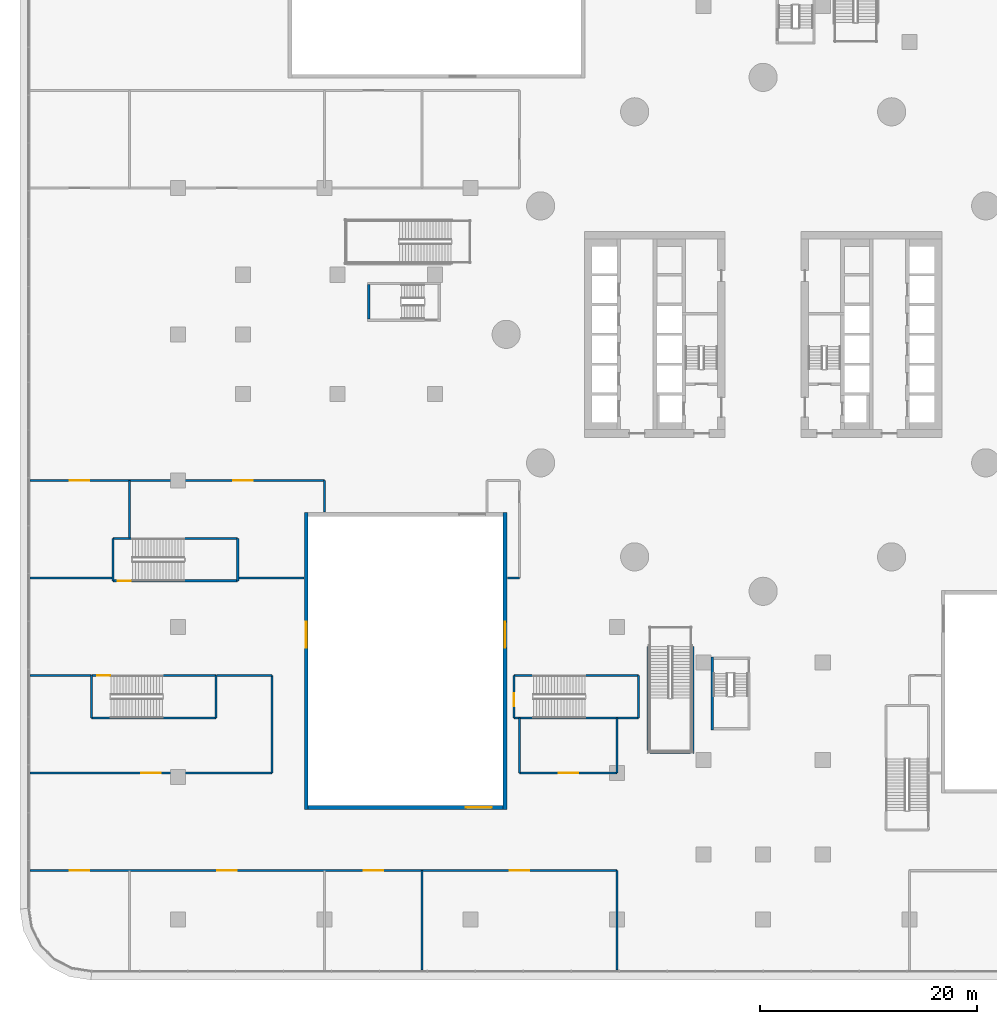
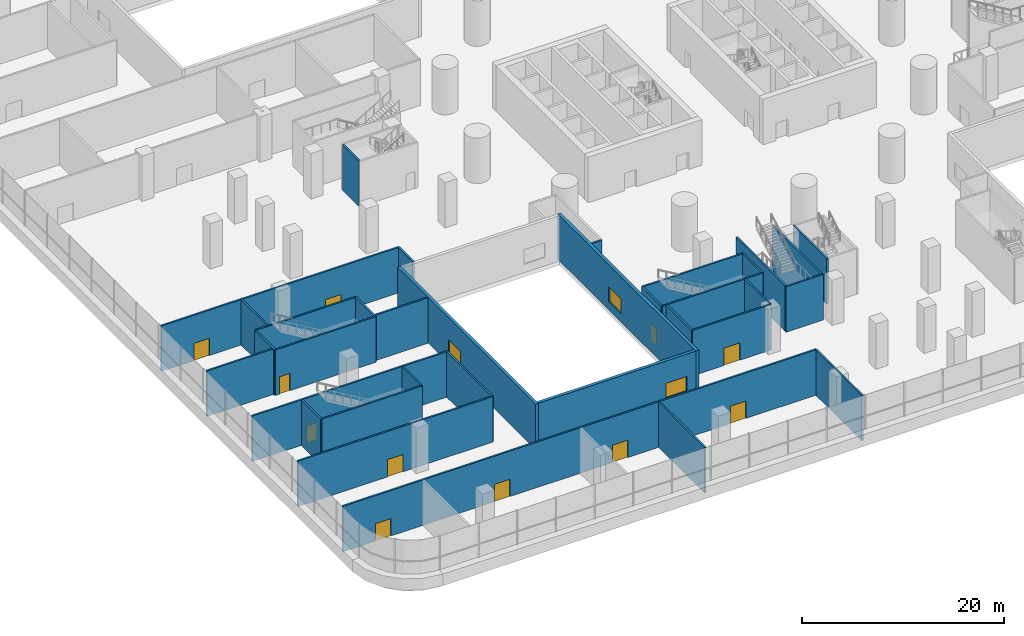
# One storey, part 28 of 52: 36 walls, 11 doors, 3 windows, 14 openings.
"""IFC4 building model written with IfcOpenShell, lengths in metres."""

from ifc_helpers import new_model, si_unit, direction, frame, frame_2d, origin, place, context, subcontext, project, spatial, polyline, rectangle, outline, extrude, material, layer, layer_set, type_object, element, fill, save


model = new_model("IFC4")

# Units and contexts
model_context = context("Model", 3, precision=1e-05, world=origin(), true_north=direction((0.0, 1.0)))
body_context = subcontext(model_context, "Body", "Model", "MODEL_VIEW")
ifc_project = project(units=[si_unit("LENGTHUNIT", "METRE"), si_unit("AREAUNIT", "SQUARE_METRE"), si_unit("VOLUMEUNIT", "CUBIC_METRE"), si_unit("PLANEANGLEUNIT", "RADIAN"), si_unit("MASSUNIT", "GRAM", prefix="KILO")], contexts=[model_context])

# Site, building, storey
site_placement = place(None, origin())
site = spatial("IfcSite", under=ifc_project, at=site_placement, CompositionType="ELEMENT")
building_placement = place(site_placement, origin())
building = spatial("IfcBuilding", under=site, at=building_placement, Name="Tamarind Cross Interchange Tower", CompositionType="ELEMENT")
storey_placement = place(building_placement, frame((0.0, 0.0, 9.0)))
storey = spatial("IfcBuildingStorey", under=building, at=storey_placement, Name="L01", CompositionType="ELEMENT", Elevation=9.0)

# Wall, openings, doors
ifc_material_1 = material(Name="Masonry partition, fire-rated", Category="masonry")
ifc_layer_1 = layer(ifc_material_1, 0.199951171875)
ifc_layer_set_1 = layer_set([ifc_layer_1], Name="Masonry partition, fire-rated")
wall_type_1 = type_object("IfcWallType", Name="Fire partition 200 EI 120", PredefinedType="PARTITIONING", material=ifc_layer_set_1)
wall_1_placement = place(storey_placement, frame((-67.698974609375, -49.5, 0.0), z_axis=(0.0, 0.0, 1.0), x_axis=(1.0, 0.0, 0.0)))
wall_1 = element("IfcWall", 1, at=wall_1_placement, inside=storey, type_object=wall_type_1, Name="L01 partition 49", PredefinedType="PARTITIONING", context=body_context, shape_type="SweptSolid", body=[
    extrude(rectangle(XDim=54.198974609375, YDim=0.199951171875, at=frame_2d((27.099609375, 0.0))), origin(), (0.0, 0.0, 1.0), 5.5),
])
opening_1_placement = place(wall_1_placement, frame((44.30908203125, 0.0, 0.0)))
opening_1 = element("IfcOpeningElement", 2, at=opening_1_placement, cuts=wall_1, Name="Opening DL01-38", PredefinedType="OPENING", context=body_context, shape_type="SweptSolid", body=[
    extrude(rectangle(XDim=1.800048828125, YDim=2.10009765625, at=frame_2d((0.89990234375, 1.050048828125))), frame((0.0, 0.10986328125, 0.0), z_axis=(0.0, -1.0, 0.0), x_axis=(1.0, 0.0, 0.0)), (0.0, 0.0, 1.0), 0.219970703125),
])
opening_2_placement = place(wall_1_placement, frame((30.80908203125, 0.0, 0.0)))
opening_2 = element("IfcOpeningElement", 3, at=opening_2_placement, cuts=wall_1, Name="Opening DL01-39", PredefinedType="OPENING", context=body_context, shape_type="SweptSolid", body=[
    extrude(rectangle(XDim=1.800048828125, YDim=2.10009765625, at=frame_2d((0.89990234375, 1.050048828125))), frame((0.0, 0.10986328125, 0.0), z_axis=(0.0, -1.0, 0.0), x_axis=(1.0, 0.0, 0.0)), (0.0, 0.0, 1.0), 0.219970703125),
])
opening_3_placement = place(wall_1_placement, frame((17.30908203125, 0.0, 0.0)))
opening_3 = element("IfcOpeningElement", 4, at=opening_3_placement, cuts=wall_1, Name="Opening DL01-40", PredefinedType="OPENING", context=body_context, shape_type="SweptSolid", body=[
    extrude(rectangle(XDim=1.800048828125, YDim=2.10009765625, at=frame_2d((0.89990234375, 1.050048828125))), frame((0.0, 0.10986328125, 0.0), z_axis=(0.0, -1.0, 0.0), x_axis=(1.0, 0.0, 0.0)), (0.0, 0.0, 1.0), 0.219970703125),
])
opening_4_placement = place(wall_1_placement, frame((3.68896484375, 0.0, 0.0)))
opening_4 = element("IfcOpeningElement", 5, at=opening_4_placement, cuts=wall_1, Name="Opening DL01-41", PredefinedType="OPENING", context=body_context, shape_type="SweptSolid", body=[
    extrude(rectangle(XDim=1.800048828125, YDim=2.10009765625, at=frame_2d((0.89990234375, 1.050048828125))), frame((0.0, 0.10986328125, 0.0), z_axis=(0.0, -1.0, 0.0), x_axis=(1.0, 0.0, 0.0)), (0.0, 0.0, 1.0), 0.219970703125),
])
ifc_material_2 = material(Name="Steel, fire-resisting", Category="steel")
door_type_1 = type_object("IfcDoorType", Name="Podium door 1800 x 2100 FD60", OperationType="SINGLE_SWING_LEFT", PredefinedType="DOOR", material=ifc_material_2)
door_1_placement = place(opening_1_placement, origin())
door_1 = element("IfcDoor", 6, at=door_1_placement, inside=storey, type_object=door_type_1, Name="L01 door Optician 0123", OperationType="SINGLE_SWING_RIGHT", OverallHeight=2.10009765625, OverallWidth=1.800048828125, PredefinedType="DOOR", context=body_context, shape_type="SweptSolid", body=[
    extrude(rectangle(XDim=1.800048828125, YDim=2.10009765625, at=frame_2d((0.89990234375, 1.050048828125))), frame((0.0, 0.02490234375, 0.0), z_axis=(0.0, -1.0, 0.0), x_axis=(1.0, 0.0, 0.0)), (0.0, 0.0, 1.0), 0.050048828125),
])
fill(opening_1, door_1)
door_2_placement = place(opening_2_placement, origin())
door_2 = element("IfcDoor", 7, at=door_2_placement, inside=storey, type_object=door_type_1, Name="L01 door Sports Shop 0124", OperationType="SINGLE_SWING_LEFT", OverallHeight=2.10009765625, OverallWidth=1.800048828125, PredefinedType="DOOR", context=body_context, shape_type="SweptSolid", body=[
    extrude(rectangle(XDim=1.800048828125, YDim=2.10009765625, at=frame_2d((0.89990234375, 1.050048828125))), frame((0.0, 0.02490234375, 0.0), z_axis=(0.0, -1.0, 0.0), x_axis=(1.0, 0.0, 0.0)), (0.0, 0.0, 1.0), 0.050048828125),
])
fill(opening_2, door_2)
door_3_placement = place(opening_3_placement, origin())
door_3 = element("IfcDoor", 8, at=door_3_placement, inside=storey, type_object=door_type_1, Name="L01 door Gift Shop 0125", OperationType="SINGLE_SWING_RIGHT", OverallHeight=2.10009765625, OverallWidth=1.800048828125, PredefinedType="DOOR", context=body_context, shape_type="SweptSolid", body=[
    extrude(rectangle(XDim=1.800048828125, YDim=2.10009765625, at=frame_2d((0.89990234375, 1.050048828125))), frame((0.0, 0.02490234375, 0.0), z_axis=(0.0, -1.0, 0.0), x_axis=(1.0, 0.0, 0.0)), (0.0, 0.0, 1.0), 0.050048828125),
])
fill(opening_3, door_3)
door_4_placement = place(opening_4_placement, origin())
door_4 = element("IfcDoor", 9, at=door_4_placement, inside=storey, type_object=door_type_1, Name="L01 door Bookshop 0126", OperationType="SINGLE_SWING_LEFT", OverallHeight=2.10009765625, OverallWidth=1.800048828125, PredefinedType="DOOR", context=body_context, shape_type="SweptSolid", body=[
    extrude(rectangle(XDim=1.800048828125, YDim=2.10009765625, at=frame_2d((0.89990234375, 1.050048828125))), frame((0.0, 0.02490234375, 0.0), z_axis=(0.0, -1.0, 0.0), x_axis=(1.0, 0.0, 0.0)), (0.0, 0.0, 1.0), 0.050048828125),
])
fill(opening_4, door_4)

# Walls
wall_2_placement = place(storey_placement, frame((-50.469970703125, -31.5, 0.0), z_axis=(0.0, 0.0, 1.0), x_axis=(1.0, 0.0, 0.0)))
element("IfcWall", 10, at=wall_2_placement, inside=storey, type_object=wall_type_1, Name="L01 partition 50", PredefinedType="PARTITIONING", context=body_context, shape_type="SweptSolid", body=[
    extrude(rectangle(XDim=5.119873046875, YDim=0.199951171875, at=frame_2d((2.56005859375, 0.0))), origin(), (0.0, 0.0, 1.0), 5.5),
])
wall_3_placement = place(storey_placement, frame((-45.35009765625, -40.5, 0.0), z_axis=(0.0, 0.0, 1.0), x_axis=(0.0, 1.0, 0.0)))
element("IfcWall", 11, at=wall_3_placement, inside=storey, type_object=wall_type_1, Name="L01 partition 51", PredefinedType="PARTITIONING", context=body_context, shape_type="SweptSolid", body=[
    extrude(rectangle(XDim=9.0, YDim=0.199951171875, at=frame_2d((4.5, 0.0))), origin(), (0.0, 0.0, 1.0), 5.5),
])

# Wall, opening, door
wall_4_placement = place(storey_placement, frame((-67.698974609375, -40.5, 0.0), z_axis=(0.0, 0.0, 1.0), x_axis=(1.0, 0.0, 0.0)))
wall_4 = element("IfcWall", 12, at=wall_4_placement, inside=storey, type_object=wall_type_1, Name="L01 partition 52", PredefinedType="PARTITIONING", context=body_context, shape_type="SweptSolid", body=[
    extrude(rectangle(XDim=22.348876953125, YDim=0.199951171875, at=frame_2d((11.17431640625, 0.0))), origin(), (0.0, 0.0, 1.0), 5.5),
])
opening_5_placement = place(wall_4_placement, frame((10.27392578125, 0.0, 0.0)))
opening_5 = element("IfcOpeningElement", 13, at=opening_5_placement, cuts=wall_4, Name="Opening DL01-42", PredefinedType="OPENING", context=body_context, shape_type="SweptSolid", body=[
    extrude(rectangle(XDim=1.800048828125, YDim=2.10009765625, at=frame_2d((0.89990234375, 1.050048828125))), frame((0.0, 0.10986328125, 0.0), z_axis=(0.0, -1.0, 0.0), x_axis=(1.0, 0.0, 0.0)), (0.0, 0.0, 1.0), 0.219970703125),
])
door_5_placement = place(opening_5_placement, origin())
door_5 = element("IfcDoor", 14, at=door_5_placement, inside=storey, type_object=door_type_1, Name="L01 door Optician 0122", OperationType="SINGLE_SWING_RIGHT", OverallHeight=2.10009765625, OverallWidth=1.800048828125, PredefinedType="DOOR", context=body_context, shape_type="SweptSolid", body=[
    extrude(rectangle(XDim=1.800048828125, YDim=2.10009765625, at=frame_2d((0.89990234375, 1.050048828125))), frame((0.0, 0.02490234375, 0.0), z_axis=(0.0, -1.0, 0.0), x_axis=(1.0, 0.0, 0.0)), (0.0, 0.0, 1.0), 0.050048828125),
])
fill(opening_5, door_5)

# Walls
wall_5_placement = place(storey_placement, frame((-67.698974609375, -31.5, 0.0), z_axis=(0.0, 0.0, 1.0), x_axis=(1.0, 0.0, 0.0)))
element("IfcWall", 15, at=wall_5_placement, inside=storey, type_object=wall_type_1, Name="L01 partition 53", PredefinedType="PARTITIONING", context=body_context, shape_type="SweptSolid", body=[
    extrude(rectangle(XDim=5.6689453125, YDim=0.199951171875, at=frame_2d((2.83447265625, 0.0))), origin(), (0.0, 0.0, 1.0), 5.5),
])
wall_6_placement = place(storey_placement, frame((-67.698974609375, -22.5, 0.0), z_axis=(0.0, 0.0, 1.0), x_axis=(1.0, 0.0, 0.0)))
element("IfcWall", 16, at=wall_6_placement, inside=storey, type_object=wall_type_1, Name="L01 partition 54", PredefinedType="PARTITIONING", context=body_context, shape_type="SweptSolid", body=[
    extrude(rectangle(XDim=7.6689453125, YDim=0.199951171875, at=frame_2d((3.83447265625, 0.0))), origin(), (0.0, 0.0, 1.0), 5.5),
])

# Wall, openings, doors
wall_7_placement = place(storey_placement, frame((-67.698974609375, -13.5, 0.0), z_axis=(0.0, 0.0, 1.0), x_axis=(1.0, 0.0, 0.0)))
wall_7 = element("IfcWall", 17, at=wall_7_placement, inside=storey, type_object=wall_type_1, Name="L01 partition 55", PredefinedType="PARTITIONING", context=body_context, shape_type="SweptSolid", body=[
    extrude(rectangle(XDim=27.198974609375, YDim=0.199951171875, at=frame_2d((13.599609375, 0.0))), origin(), (0.0, 0.0, 1.0), 5.5),
])
opening_6_placement = place(wall_7_placement, frame((18.763916015625, 0.0, 0.0)))
opening_6 = element("IfcOpeningElement", 18, at=opening_6_placement, cuts=wall_7, Name="Opening DL01-35", PredefinedType="OPENING", context=body_context, shape_type="SweptSolid", body=[
    extrude(rectangle(XDim=1.800048828125, YDim=2.10009765625, at=frame_2d((0.89990234375, 1.050048828125))), frame((0.0, 0.10986328125, 0.0), z_axis=(0.0, -1.0, 0.0), x_axis=(1.0, 0.0, 0.0)), (0.0, 0.0, 1.0), 0.219970703125),
])
opening_7_placement = place(wall_7_placement, frame((3.68896484375, 0.0, 0.0)))
opening_7 = element("IfcOpeningElement", 19, at=opening_7_placement, cuts=wall_7, Name="Opening DL01-36", PredefinedType="OPENING", context=body_context, shape_type="SweptSolid", body=[
    extrude(rectangle(XDim=1.800048828125, YDim=2.10009765625, at=frame_2d((0.89990234375, 1.050048828125))), frame((0.0, 0.10986328125, 0.0), z_axis=(0.0, -1.0, 0.0), x_axis=(1.0, 0.0, 0.0)), (0.0, 0.0, 1.0), 0.219970703125),
])
door_6_placement = place(opening_6_placement, origin())
door_6 = element("IfcDoor", 20, at=door_6_placement, inside=storey, type_object=door_type_1, Name="L01 door Electronics Store 0119", OperationType="SINGLE_SWING_LEFT", OverallHeight=2.10009765625, OverallWidth=1.800048828125, PredefinedType="DOOR", context=body_context, shape_type="SweptSolid", body=[
    extrude(rectangle(XDim=1.800048828125, YDim=2.10009765625, at=frame_2d((0.89990234375, 1.050048828125))), frame((0.0, 0.02490234375, 0.0), z_axis=(0.0, -1.0, 0.0), x_axis=(1.0, 0.0, 0.0)), (0.0, 0.0, 1.0), 0.050048828125),
])
fill(opening_6, door_6)
door_7_placement = place(opening_7_placement, origin())
door_7 = element("IfcDoor", 21, at=door_7_placement, inside=storey, type_object=door_type_1, Name="L01 door Fashion Store 0120", OperationType="SINGLE_SWING_RIGHT", OverallHeight=2.10009765625, OverallWidth=1.800048828125, PredefinedType="DOOR", context=body_context, shape_type="SweptSolid", body=[
    extrude(rectangle(XDim=1.800048828125, YDim=2.10009765625, at=frame_2d((0.89990234375, 1.050048828125))), frame((0.0, 0.02490234375, 0.0), z_axis=(0.0, -1.0, 0.0), x_axis=(1.0, 0.0, 0.0)), (0.0, 0.0, 1.0), 0.050048828125),
])
fill(opening_7, door_7)

# Walls
wall_8_placement = place(storey_placement, frame((-58.5, -18.820068359375, 0.0), z_axis=(0.0, 0.0, 1.0), x_axis=(0.0, 1.0, 0.0)))
element("IfcWall", 22, at=wall_8_placement, inside=storey, type_object=wall_type_1, Name="L01 partition 62", PredefinedType="PARTITIONING", context=body_context, shape_type="SweptSolid", body=[
    extrude(rectangle(XDim=5.320068359375, YDim=0.199951171875, at=frame_2d((2.66015625, 0.0))), origin(), (0.0, 0.0, 1.0), 5.5),
])
wall_9_placement = place(storey_placement, frame((-40.5, -16.419921875, 0.0), z_axis=(0.0, 0.0, 1.0), x_axis=(0.0, 1.0, 0.0)))
element("IfcWall", 23, at=wall_9_placement, inside=storey, type_object=wall_type_1, Name="L01 partition 63", PredefinedType="PARTITIONING", context=body_context, shape_type="SweptSolid", body=[
    extrude(rectangle(XDim=2.919921875, YDim=0.199951171875, at=frame_2d((1.4599609375, 0.0))), origin(), (0.0, 0.0, 1.0), 5.5),
])
wall_10_placement = place(storey_placement, frame((-48.469970703125, -22.5, 0.0), z_axis=(0.0, 0.0, 1.0), x_axis=(1.0, 0.0, 0.0)))
element("IfcWall", 24, at=wall_10_placement, inside=storey, type_object=wall_type_1, Name="L01 partition 68", PredefinedType="PARTITIONING", context=body_context, shape_type="SweptSolid", body=[
    extrude(rectangle(XDim=6.090087890625, YDim=0.199951171875, at=frame_2d((3.044921875, 0.0))), origin(), (0.0, 0.0, 1.0), 5.5),
])
for number, where, z_axis, x_axis, name in (
    (25, (-31.5, -58.698974609375, 0.0), (0.0, 0.0, 1.0), (0.0, 1.0, 0.0), "L01 partition 72"),
    (26, (-13.5, -58.698974609375, 0.0), (0.0, 0.0, 1.0), (0.0, 1.0, 0.0), "L01 partition 73"),
):
    element("IfcWall", number, at=place(storey_placement, frame(where, z_axis=z_axis, x_axis=x_axis)), inside=storey, type_object=wall_type_1, Name=name, PredefinedType="PARTITIONING", context=body_context, shape_type="SweptSolid", body=[
        extrude(rectangle(XDim=9.198974609375, YDim=0.199951171875, at=frame_2d((4.599609375, 0.0))), origin(), (0.0, 0.0, 1.0), 5.5),
    ])
wall_11_placement = place(storey_placement, frame((-13.5, -40.5, 0.0), z_axis=(0.0, 0.0, 1.0), x_axis=(0.0, 1.0, 0.0)))
element("IfcWall", 27, at=wall_11_placement, inside=storey, type_object=wall_type_1, Name="L01 partition 82", PredefinedType="PARTITIONING", context=body_context, shape_type="SweptSolid", body=[
    extrude(rectangle(XDim=5.070068359375, YDim=0.199951171875, at=frame_2d((2.53515625, 0.0))), origin(), (0.0, 0.0, 1.0), 5.5),
])

# Wall, opening, door
wall_12_placement = place(storey_placement, frame((-22.5, -40.5, 0.0), z_axis=(0.0, 0.0, 1.0), x_axis=(1.0, 0.0, 0.0)))
wall_12 = element("IfcWall", 28, at=wall_12_placement, inside=storey, type_object=wall_type_1, Name="L01 partition 83", PredefinedType="PARTITIONING", context=body_context, shape_type="SweptSolid", body=[
    extrude(rectangle(XDim=9.0, YDim=0.199951171875, at=frame_2d((4.5, 0.0))), origin(), (0.0, 0.0, 1.0), 5.5),
])
opening_8_placement = place(wall_12_placement, frame((3.610107421875, 0.0, 0.0)))
opening_8 = element("IfcOpeningElement", 29, at=opening_8_placement, cuts=wall_12, Name="Opening DL01-37", PredefinedType="OPENING", context=body_context, shape_type="SweptSolid", body=[
    extrude(rectangle(XDim=1.800048828125, YDim=2.10009765625, at=frame_2d((0.89990234375, 1.050048828125))), frame((0.0, 0.10986328125, 0.0), z_axis=(0.0, -1.0, 0.0), x_axis=(1.0, 0.0, 0.0)), (0.0, 0.0, 1.0), 0.219970703125),
])
door_8_placement = place(opening_8_placement, origin())
door_8 = element("IfcDoor", 30, at=door_8_placement, inside=storey, type_object=door_type_1, Name="L01 door Gift Shop 0121", OperationType="SINGLE_SWING_LEFT", OverallHeight=2.10009765625, OverallWidth=1.800048828125, PredefinedType="DOOR", context=body_context, shape_type="SweptSolid", body=[
    extrude(rectangle(XDim=1.800048828125, YDim=2.10009765625, at=frame_2d((0.89990234375, 1.050048828125))), frame((0.0, 0.02490234375, 0.0), z_axis=(0.0, -1.0, 0.0), x_axis=(1.0, 0.0, 0.0)), (0.0, 0.0, 1.0), 0.050048828125),
])
fill(opening_8, door_8)

# Walls
wall_13_placement = place(storey_placement, frame((-22.5, -40.5, 0.0), z_axis=(0.0, 0.0, 1.0), x_axis=(0.0, 1.0, 0.0)))
element("IfcWall", 31, at=wall_13_placement, inside=storey, type_object=wall_type_1, Name="L01 partition 84", PredefinedType="PARTITIONING", context=body_context, shape_type="SweptSolid", body=[
    extrude(rectangle(XDim=5.070068359375, YDim=0.199951171875, at=frame_2d((2.53515625, 0.0))), origin(), (0.0, 0.0, 1.0), 5.5),
])
ifc_layer_2 = layer(ifc_material_1, 0.199951171875)
ifc_layer_set_2 = layer_set([ifc_layer_2], Name="Masonry partition, fire-rated")
wall_type_2 = type_object("IfcWallType", Name="Fire partition 200 EI 90", PredefinedType="PARTITIONING", material=ifc_layer_set_2)
wall_14_placement = place(storey_placement, frame((-23.6201171875, -22.5, 0.0), z_axis=(0.0, 0.0, 1.0), x_axis=(1.0, 0.0, 0.0)))
element("IfcWall", 32, at=wall_14_placement, inside=storey, type_object=wall_type_2, Name="L01 partition 81", PredefinedType="PARTITIONING", context=body_context, shape_type="SweptSolid", body=[
    extrude(rectangle(XDim=1.1201171875, YDim=0.199951171875, at=frame_2d((0.56005859375, 0.0))), origin(), (0.0, 0.0, 1.0), 5.5),
])

# Wall, opening, window
ifc_material_3 = material(Name="Precast concrete C40", Category="concrete")
ifc_layer_3 = layer(ifc_material_3, 0.35009765625)
ifc_layer_set_3 = layer_set([ifc_layer_3], Name="Precast concrete C40")
wall_type_3 = type_object("IfcWallType", Name="Podium facade wall", PredefinedType="SOLIDWALL", material=ifc_layer_set_3)
wall_15_placement = place(storey_placement, frame((-42.0, -43.675048828125, 0.0), z_axis=(0.0, 0.0, 1.0), x_axis=(1.0, 0.0, 0.0)))
wall_15 = element("IfcWall", 33, at=wall_15_placement, inside=storey, type_object=wall_type_3, Name="CTW-L01-SWS00", PredefinedType="SOLIDWALL", context=body_context, shape_type="SweptSolid", body=[
    extrude(rectangle(XDim=18.0, YDim=0.35009765625, at=frame_2d((9.0, 0.0))), origin(), (0.0, 0.0, 1.0), 5.5),
])
opening_9_placement = place(wall_15_placement, frame((14.550048828125, 0.0, 1.0)))
opening_9 = element("IfcOpeningElement", 34, at=opening_9_placement, cuts=wall_15, Name="Opening W4", PredefinedType="OPENING", context=body_context, shape_type="SweptSolid", body=[
    extrude(rectangle(XDim=2.39990234375, YDim=1.800048828125, at=frame_2d((1.199951171875, 0.89990234375))), frame((0.0, 0.18505859375, 0.0), z_axis=(0.0, -1.0, 0.0), x_axis=(1.0, 0.0, 0.0)), (0.0, 0.0, 1.0), 0.3701171875),
])
ifc_material_4 = material(Name="Aluminium and toughened glass", Category="aluminium")
window_type = type_object("IfcWindowType", Name="Podium daylight window", PartitioningType="SINGLE_PANEL", PredefinedType="WINDOW", material=ifc_material_4)
window_1_placement = place(opening_9_placement, origin())
window_1 = element("IfcWindow", 35, at=window_1_placement, inside=storey, type_object=window_type, Name="CTX-L01-SWS-01-00", OverallHeight=1.800048828125, OverallWidth=2.39990234375, PartitioningType="SINGLE_PANEL", PredefinedType="WINDOW", context=body_context, shape_type="SweptSolid", body=[
    extrude(rectangle(XDim=2.39990234375, YDim=1.800048828125, at=frame_2d((1.199951171875, 0.89990234375))), frame((0.0, 0.030029296875, 0.0), z_axis=(0.0, -1.0, 0.0), x_axis=(1.0, 0.0, 0.0)), (0.0, 0.0, 1.0), 0.06005859375),
])
fill(opening_9, window_1)

wall_16_placement = place(storey_placement, frame((-42.175048828125, -43.85009765625, 0.0), z_axis=(0.0, 0.0, 1.0), x_axis=(0.0, 1.0, 0.0)))
wall_16 = element("IfcWall", 36, at=wall_16_placement, inside=storey, type_object=wall_type_3, Name="CTW-L01-SWW00", PredefinedType="SOLIDWALL", context=body_context, shape_type="SweptSolid", body=[
    extrude(rectangle(XDim=27.400146484375, YDim=0.35009765625, at=frame_2d((13.7001953125, 0.0))), origin(), (0.0, 0.0, 1.0), 5.5),
])
opening_10_placement = place(wall_16_placement, frame((14.89990234375, 0.0, 1.0)))
opening_10 = element("IfcOpeningElement", 37, at=opening_10_placement, cuts=wall_16, Name="Opening W4", PredefinedType="OPENING", context=body_context, shape_type="SweptSolid", body=[
    extrude(rectangle(XDim=2.39990234375, YDim=1.800048828125, at=frame_2d((1.199951171875, 0.89990234375))), frame((0.0, 0.18505859375, 0.0), z_axis=(0.0, -1.0, 0.0), x_axis=(1.0, 0.0, 0.0)), (0.0, 0.0, 1.0), 0.3701171875),
])
window_2_placement = place(opening_10_placement, origin())
window_2 = element("IfcWindow", 38, at=window_2_placement, inside=storey, type_object=window_type, Name="CTX-L01-SWW-01-00", OverallHeight=1.800048828125, OverallWidth=2.39990234375, PartitioningType="SINGLE_PANEL", PredefinedType="WINDOW", context=body_context, shape_type="SweptSolid", body=[
    extrude(rectangle(XDim=2.39990234375, YDim=1.800048828125, at=frame_2d((1.199951171875, 0.89990234375))), frame((0.0, 0.030029296875, 0.0), z_axis=(0.0, -1.0, 0.0), x_axis=(1.0, 0.0, 0.0)), (0.0, 0.0, 1.0), 0.06005859375),
])
fill(opening_10, window_2)

wall_17_placement = place(storey_placement, frame((-23.824951171875, -43.85009765625, 0.0), z_axis=(0.0, 0.0, 1.0), x_axis=(0.0, 1.0, 0.0)))
wall_17 = element("IfcWall", 39, at=wall_17_placement, inside=storey, type_object=wall_type_3, Name="CTW-L01-SWE00", PredefinedType="SOLIDWALL", context=body_context, shape_type="SweptSolid", body=[
    extrude(rectangle(XDim=27.400146484375, YDim=0.35009765625, at=frame_2d((13.7001953125, 0.0))), origin(), (0.0, 0.0, 1.0), 5.5),
])
opening_11_placement = place(wall_17_placement, frame((14.89990234375, 0.0, 1.0)))
opening_11 = element("IfcOpeningElement", 40, at=opening_11_placement, cuts=wall_17, Name="Opening W4", PredefinedType="OPENING", context=body_context, shape_type="SweptSolid", body=[
    extrude(rectangle(XDim=2.39990234375, YDim=1.800048828125, at=frame_2d((1.199951171875, 0.89990234375))), frame((0.0, 0.18505859375, 0.0), z_axis=(0.0, -1.0, 0.0), x_axis=(1.0, 0.0, 0.0)), (0.0, 0.0, 1.0), 0.3701171875),
])
window_3_placement = place(opening_11_placement, origin())
window_3 = element("IfcWindow", 41, at=window_3_placement, inside=storey, type_object=window_type, Name="CTX-L01-SWE-01-00", OverallHeight=1.800048828125, OverallWidth=2.39990234375, PartitioningType="SINGLE_PANEL", PredefinedType="WINDOW", context=body_context, shape_type="SweptSolid", body=[
    extrude(rectangle(XDim=2.39990234375, YDim=1.800048828125, at=frame_2d((1.199951171875, 0.89990234375))), frame((0.0, 0.030029296875, 0.0), z_axis=(0.0, -1.0, 0.0), x_axis=(1.0, 0.0, 0.0)), (0.0, 0.0, 1.0), 0.06005859375),
])
fill(opening_11, window_3)

# Walls
ifc_material_5 = material(Name="Concrete C40", Category="concrete")
ifc_layer_4 = layer(ifc_material_5, 0.199951171875)
ifc_layer_set_4 = layer_set([ifc_layer_4], Name="Concrete C40")
wall_type_4 = type_object("IfcWallType", Name="Stair shaft wall 200", PredefinedType="SOLIDWALL", material=ifc_layer_set_4)
for number, where, z_axis, x_axis, name in (
    (42, (-10.60009765625, -28.800048828125, 0.0), (0.0, 0.0, 1.0), (0.0, -1.0, 0.0), "public stair PS-S shaft wall L"),
    (43, (-6.5, -28.800048828125, 0.0), (0.0, 0.0, 1.0), (0.0, -1.0, 0.0), "public stair PS-S shaft wall R"),
):
    element("IfcWall", number, at=place(storey_placement, frame(where, z_axis=z_axis, x_axis=x_axis)), inside=storey, type_object=wall_type_4, Name=name, PredefinedType="SOLIDWALL", context=body_context, shape_type="SweptSolid", body=[
        extrude(rectangle(XDim=9.699951171875, YDim=0.199951171875, at=frame_2d((4.85009765625, 0.0))), origin(), (0.0, 0.0, 1.0), 5.5),
    ])
wall_18_placement = place(storey_placement, frame((-10.699951171875, -38.60009765625, 0.0), z_axis=(0.0, 0.0, 1.0), x_axis=(1.0, 0.0, 0.0)))
element("IfcWall", 44, at=wall_18_placement, inside=storey, type_object=wall_type_4, Name="public stair PS-S shaft wall F", PredefinedType="SOLIDWALL", context=body_context, shape_type="SweptSolid", body=[
    extrude(rectangle(XDim=4.300048828125, YDim=0.199951171875, at=frame_2d((2.14990234375, 0.0))), origin(), (0.0, 0.0, 1.0), 5.5),
])

# Wall, opening, door
ifc_layer_5 = layer(ifc_material_5, 0.199951171875)
ifc_layer_set_5 = layer_set([ifc_layer_5], Name="Concrete C40")
wall_type_5 = type_object("IfcWallType", Name="Stair shaft wall 200 EI 180", PredefinedType="PARTITIONING", material=ifc_layer_set_5)
wall_19_placement = place(storey_placement, frame((-62.0, -31.5, 0.0), z_axis=(0.0, 0.0, 1.0), x_axis=(1.0, 0.0, 0.0)))
wall_19 = element("IfcWall", 45, at=wall_19_placement, inside=storey, type_object=wall_type_5, Name="L01 stair shaft wall 5", PredefinedType="PARTITIONING", context=body_context, shape_type="SweptSolid", body=[
    extrude(rectangle(XDim=11.5, YDim=0.199951171875, at=frame_2d((5.75, 0.0))), origin(), (0.0, 0.0, 1.0), 5.5),
])
opening_12_placement = place(wall_19_placement, frame((0.52001953125, 0.0, 0.0)))
opening_12 = element("IfcOpeningElement", 46, at=opening_12_placement, cuts=wall_19, Name="Opening DL01-07", PredefinedType="OPENING", context=body_context, shape_type="SweptSolid", body=[
    extrude(rectangle(XDim=1.199951171875, YDim=2.10009765625, at=frame_2d((0.60009765625, 1.050048828125))), frame((0.0, 0.10986328125, 0.0), z_axis=(0.0, -1.0, 0.0), x_axis=(1.0, 0.0, 0.0)), (0.0, 0.0, 1.0), 0.219970703125),
])
door_type_2 = type_object("IfcDoorType", Name="Podium door 1200 x 2100 FD90", OperationType="SINGLE_SWING_LEFT", PredefinedType="DOOR", material=ifc_material_2)
door_9_placement = place(opening_12_placement, origin())
door_9 = element("IfcDoor", 47, at=door_9_placement, inside=storey, type_object=door_type_2, Name="L01 door Exit Stair PX7", OperationType="SINGLE_SWING_LEFT", OverallHeight=2.10009765625, OverallWidth=1.199951171875, PredefinedType="DOOR", context=body_context, shape_type="SweptSolid", body=[
    extrude(rectangle(XDim=1.199951171875, YDim=2.10009765625, at=frame_2d((0.60009765625, 1.050048828125))), frame((0.0, 0.02490234375, 0.0), z_axis=(0.0, -1.0, 0.0), x_axis=(1.0, 0.0, 0.0)), (0.0, 0.0, 1.0), 0.050048828125),
])
fill(opening_12, door_9)

# Walls
wall_20_placement = place(storey_placement, frame((-50.5, -35.39990234375, 0.0), z_axis=(0.0, 0.0, 1.0), x_axis=(0.0, 1.0, 0.0)))
element("IfcWall", 48, at=wall_20_placement, inside=storey, type_object=wall_type_5, Name="L01 stair shaft wall 6", PredefinedType="PARTITIONING", context=body_context, shape_type="SweptSolid", body=[
    extrude(rectangle(XDim=3.89990234375, YDim=0.199951171875, at=frame_2d((1.949951171875, 0.0))), origin(), (0.0, 0.0, 1.0), 5.5),
])
wall_21_placement = place(storey_placement, frame((-62.0, -35.39990234375, 0.0), z_axis=(0.0, 0.0, 1.0), x_axis=(1.0, 0.0, 0.0)))
element("IfcWall", 49, at=wall_21_placement, inside=storey, type_object=wall_type_5, Name="L01 stair shaft wall 7", PredefinedType="PARTITIONING", context=body_context, shape_type="SweptSolid", body=[
    extrude(rectangle(XDim=11.5, YDim=0.199951171875, at=frame_2d((5.75, 0.0))), origin(), (0.0, 0.0, 1.0), 5.5),
])
wall_22_placement = place(storey_placement, frame((-62.0, -35.39990234375, 0.0), z_axis=(0.0, 0.0, 1.0), x_axis=(0.0, 1.0, 0.0)))
element("IfcWall", 50, at=wall_22_placement, inside=storey, type_object=wall_type_5, Name="L01 stair shaft wall 8", PredefinedType="PARTITIONING", context=body_context, shape_type="SweptSolid", body=[
    extrude(rectangle(XDim=3.89990234375, YDim=0.199951171875, at=frame_2d((1.949951171875, 0.0))), origin(), (0.0, 0.0, 1.0), 5.5),
])
wall_23_placement = place(storey_placement, frame((-60.0, -18.85009765625, 0.0), z_axis=(0.0, 0.0, 1.0), x_axis=(1.0, 0.0, 0.0)))
element("IfcWall", 51, at=wall_23_placement, inside=storey, type_object=wall_type_5, Name="L01 stair shaft wall 9", PredefinedType="PARTITIONING", context=body_context, shape_type="SweptSolid", body=[
    extrude(rectangle(XDim=11.5, YDim=0.199951171875, at=frame_2d((5.75, 0.0))), origin(), (0.0, 0.0, 1.0), 5.5),
])
wall_24_placement = place(storey_placement, frame((-48.5, -22.75, 0.0), z_axis=(0.0, 0.0, 1.0), x_axis=(0.0, 1.0, 0.0)))
element("IfcWall", 52, at=wall_24_placement, inside=storey, type_object=wall_type_5, Name="L01 stair shaft wall 10", PredefinedType="PARTITIONING", context=body_context, shape_type="SweptSolid", body=[
    extrude(rectangle(XDim=3.89990234375, YDim=0.199951171875, at=frame_2d((1.949951171875, 0.0))), origin(), (0.0, 0.0, 1.0), 5.5),
])

# Wall, opening, door
wall_25_placement = place(storey_placement, frame((-60.0, -22.75, 0.0), z_axis=(0.0, 0.0, 1.0), x_axis=(1.0, 0.0, 0.0)))
wall_25 = element("IfcWall", 53, at=wall_25_placement, inside=storey, type_object=wall_type_5, Name="L01 stair shaft wall 11", PredefinedType="PARTITIONING", context=body_context, shape_type="SweptSolid", body=[
    extrude(rectangle(XDim=11.5, YDim=0.199951171875, at=frame_2d((5.75, 0.0))), origin(), (0.0, 0.0, 1.0), 5.5),
])
opening_13_placement = place(wall_25_placement, frame((0.43896484375, 0.0, 0.0)))
opening_13 = element("IfcOpeningElement", 54, at=opening_13_placement, cuts=wall_25, Name="Opening DL01-08", PredefinedType="OPENING", context=body_context, shape_type="SweptSolid", body=[
    extrude(rectangle(XDim=1.199951171875, YDim=2.10009765625, at=frame_2d((0.60009765625, 1.050048828125))), frame((0.0, 0.10986328125, 0.0), z_axis=(0.0, -1.0, 0.0), x_axis=(1.0, 0.0, 0.0)), (0.0, 0.0, 1.0), 0.219970703125),
])
door_10_placement = place(opening_13_placement, origin())
door_10 = element("IfcDoor", 55, at=door_10_placement, inside=storey, type_object=door_type_2, Name="L01 door Exit Stair PX8", OperationType="SINGLE_SWING_RIGHT", OverallHeight=2.10009765625, OverallWidth=1.199951171875, PredefinedType="DOOR", context=body_context, shape_type="SweptSolid", body=[
    extrude(rectangle(XDim=1.199951171875, YDim=2.10009765625, at=frame_2d((0.60009765625, 1.050048828125))), frame((0.0, 0.02490234375, 0.0), z_axis=(0.0, -1.0, 0.0), x_axis=(1.0, 0.0, 0.0)), (0.0, 0.0, 1.0), 0.050048828125),
])
fill(opening_13, door_10)

# Walls
wall_26_placement = place(storey_placement, frame((-60.0, -22.75, 0.0), z_axis=(0.0, 0.0, 1.0), x_axis=(0.0, 1.0, 0.0)))
element("IfcWall", 56, at=wall_26_placement, inside=storey, type_object=wall_type_5, Name="L01 stair shaft wall 12", PredefinedType="PARTITIONING", context=body_context, shape_type="SweptSolid", body=[
    extrude(rectangle(XDim=3.89990234375, YDim=0.199951171875, at=frame_2d((1.949951171875, 0.0))), origin(), (0.0, 0.0, 1.0), 5.5),
])
wall_27_placement = place(storey_placement, frame((-23.0, -31.5, 0.0), z_axis=(0.0, 0.0, 1.0), x_axis=(1.0, 0.0, 0.0)))
element("IfcWall", 57, at=wall_27_placement, inside=storey, type_object=wall_type_5, Name="L01 stair shaft wall 17", PredefinedType="PARTITIONING", context=body_context, shape_type="SweptSolid", body=[
    extrude(rectangle(XDim=11.5, YDim=0.199951171875, at=frame_2d((5.75, 0.0))), origin(), (0.0, 0.0, 1.0), 5.5),
])
wall_28_placement = place(storey_placement, frame((-11.5, -35.39990234375, 0.0), z_axis=(0.0, 0.0, 1.0), x_axis=(0.0, 1.0, 0.0)))
element("IfcWall", 58, at=wall_28_placement, inside=storey, type_object=wall_type_5, Name="L01 stair shaft wall 18", PredefinedType="PARTITIONING", context=body_context, shape_type="SweptSolid", body=[
    extrude(rectangle(XDim=3.89990234375, YDim=0.199951171875, at=frame_2d((1.949951171875, 0.0))), origin(), (0.0, 0.0, 1.0), 5.5),
])
wall_29_placement = place(storey_placement, frame((-23.0, -35.39990234375, 0.0), z_axis=(0.0, 0.0, 1.0), x_axis=(1.0, 0.0, 0.0)))
element("IfcWall", 59, at=wall_29_placement, inside=storey, type_object=wall_type_5, Name="L01 stair shaft wall 19", PredefinedType="PARTITIONING", context=body_context, shape_type="SweptSolid", body=[
    extrude(rectangle(XDim=11.5, YDim=0.199951171875, at=frame_2d((5.75, 0.0))), origin(), (0.0, 0.0, 1.0), 5.5),
])

# Wall, opening, door
wall_30_placement = place(storey_placement, frame((-23.0, -35.39990234375, 0.0), z_axis=(0.0, 0.0, 1.0), x_axis=(0.0, 1.0, 0.0)))
wall_30 = element("IfcWall", 60, at=wall_30_placement, inside=storey, type_object=wall_type_5, Name="L01 stair shaft wall 20", PredefinedType="PARTITIONING", context=body_context, shape_type="SweptSolid", body=[
    extrude(rectangle(XDim=3.89990234375, YDim=0.199951171875, at=frame_2d((1.949951171875, 0.0))), origin(), (0.0, 0.0, 1.0), 5.5),
])
opening_14_placement = place(wall_30_placement, frame((1.090087890625, 0.0, 0.0)))
opening_14 = element("IfcOpeningElement", 61, at=opening_14_placement, cuts=wall_30, Name="Opening DL01-09", PredefinedType="OPENING", context=body_context, shape_type="SweptSolid", body=[
    extrude(rectangle(XDim=1.199951171875, YDim=2.10009765625, at=frame_2d((0.60009765625, 1.050048828125))), frame((0.0, 0.10986328125, 0.0), z_axis=(0.0, -1.0, 0.0), x_axis=(1.0, 0.0, 0.0)), (0.0, 0.0, 1.0), 0.219970703125),
])
door_11_placement = place(opening_14_placement, origin())
door_11 = element("IfcDoor", 62, at=door_11_placement, inside=storey, type_object=door_type_2, Name="L01 door Exit Stair PX9", OperationType="SINGLE_SWING_LEFT", OverallHeight=2.10009765625, OverallWidth=1.199951171875, PredefinedType="DOOR", context=body_context, shape_type="SweptSolid", body=[
    extrude(rectangle(XDim=1.199951171875, YDim=2.10009765625, at=frame_2d((0.60009765625, 1.050048828125))), frame((0.0, 0.02490234375, 0.0), z_axis=(0.0, -1.0, 0.0), x_axis=(1.0, 0.0, 0.0)), (0.0, 0.0, 1.0), 0.050048828125),
])
fill(opening_14, door_11)

# Walls
ifc_layer_6 = layer(ifc_material_5, 0.199951171875)
ifc_layer_set_6 = layer_set([ifc_layer_6], Name="Concrete C40")
wall_type_6 = type_object("IfcWallType", Name="Stair shaft wall 200 mm Concrete C40", PredefinedType="SHEAR", material=ifc_layer_set_6)
wall_31_placement = place(storey_placement, origin())
element("IfcWall", 63, at=wall_31_placement, inside=storey, type_object=wall_type_6, Name="Core wall CWL-L01-ST5-CF", PredefinedType="SHEAR", context=body_context, shape_type="SweptSolid", body=[
    extrude(outline(polyline([(-36.300048828125, 4.60009765625), (-36.5, 4.60009765625), (-36.5, 1.39990234375), (-36.300048828125, 1.39990234375), (-36.300048828125, 4.60009765625)])), origin(), (0.0, 0.0, 1.0), 5.5),
])
wall_32_placement = place(storey_placement, frame((-4.699951171875, -29.800048828125, 0.0), z_axis=(0.0, 0.0, 1.0), x_axis=(0.0, -1.0, 0.0)))
element("IfcWall", 64, at=wall_32_placement, inside=storey, type_object=wall_type_6, Name="Core wall CWL-L01-ST6-C", PredefinedType="SHEAR", context=body_context, shape_type="SweptSolid", body=[
    extrude(rectangle(XDim=6.699951171875, YDim=0.199951171875, at=frame_2d((3.35009765625, 0.0))), origin(), (0.0, 0.0, 1.0), 5.5),
])

save(model, "model.ifc")
